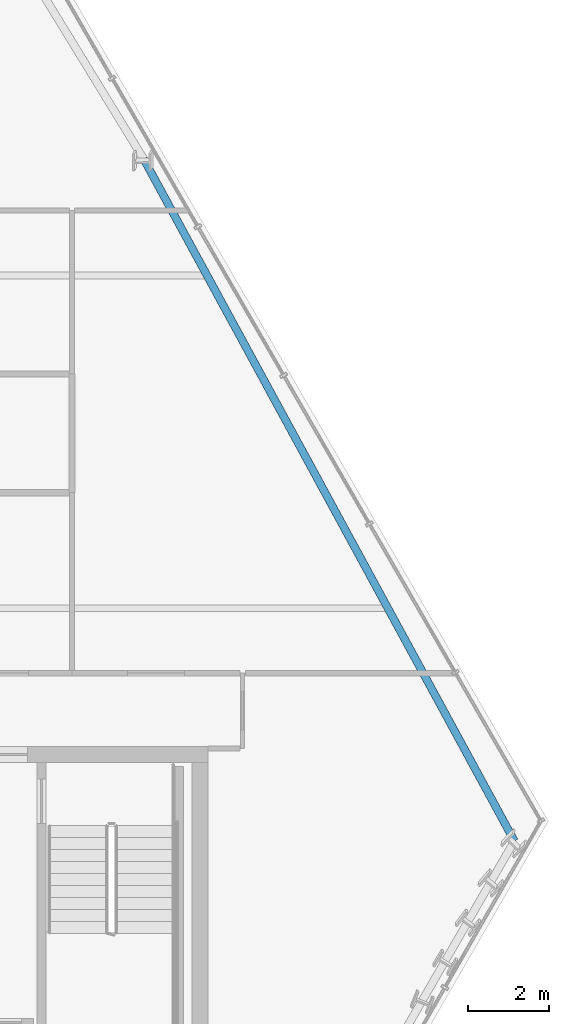
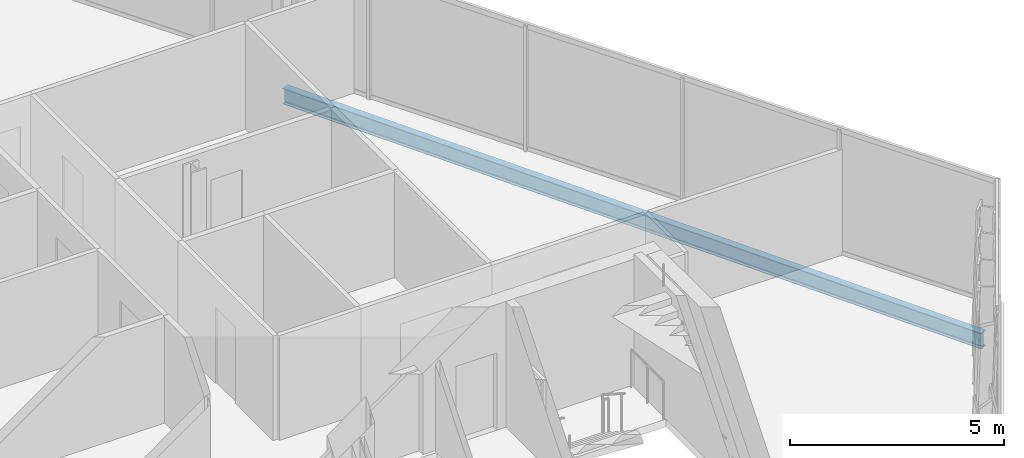
# One storey, part 16 of 33: 1 beam.
"""IFC4 building model written with IfcOpenShell, lengths in metres."""

from ifc_helpers import new_model, si_unit, direction, frame, origin, origin_2d, place, context, subcontext, project, spatial, i_section, extrude, material, material_profile, profile_set, type_object, element, save


model = new_model("IFC4")

# Units and contexts
model_context = context("Model", 3, precision=1e-05, world=origin(), true_north=direction((0.0, 1.0)))
body_context = subcontext(model_context, "Body", "Model", "MODEL_VIEW")
ifc_project = project(units=[si_unit("LENGTHUNIT", "METRE"), si_unit("AREAUNIT", "SQUARE_METRE"), si_unit("VOLUMEUNIT", "CUBIC_METRE"), si_unit("PLANEANGLEUNIT", "RADIAN"), si_unit("MASSUNIT", "GRAM", prefix="KILO")], contexts=[model_context])

# Site, building, storey
site_placement = place(None, origin())
site = spatial("IfcSite", under=ifc_project, at=site_placement, CompositionType="ELEMENT")
building_placement = place(site_placement, origin())
building = spatial("IfcBuilding", under=site, at=building_placement, Name="Ndaravel Arena Tower", CompositionType="ELEMENT")
storey_placement = place(building_placement, frame((0.0, 0.0, 187.800048828125)))
storey = spatial("IfcBuildingStorey", under=building, at=storey_placement, Name="L45", CompositionType="ELEMENT", Elevation=187.800048828125)

# Beam
ifc_material = material(Name="Steel S355", Category="steel")
ifc_material_profile = material_profile(ifc_material, i_section(OverallWidth=0.18994140625, OverallDepth=0.449951171875, WebThickness=0.009521484375, FlangeThickness=0.0146484375, FilletRadius=0.02099609375, at=origin_2d()), Name="IPE 450")
ifc_profile_set = profile_set([ifc_material_profile], Name="Steel S355")
beam_type = type_object("IfcBeamType", Name="BM-SPAN-IPE450", PredefinedType="SPANDREL", material=ifc_profile_set)
beam_placement = place(storey_placement, frame((65.093994140625, 12.866943359375, -0.445068359375), z_axis=(-0.477531106399, 0.878614843046, 0.0), x_axis=(-0.878614843046, -0.477531106399, 0.0)))
element("IfcBeam", 1, at=beam_placement, inside=storey, type_object=beam_type, Name="L45 Perimeter Spandrel Beam SP-09", PredefinedType="SPANDREL", context=body_context, shape_type="SweptSolid", body=[
    extrude(i_section(OverallWidth=0.18994140625, OverallDepth=0.449951171875, WebThickness=0.009521484375, FlangeThickness=0.0146484375, FilletRadius=0.02099609375, at=origin_2d()), origin(), (0.0, 0.0, 1.0), 19.119873046875),
])

save(model, "model.ifc")
